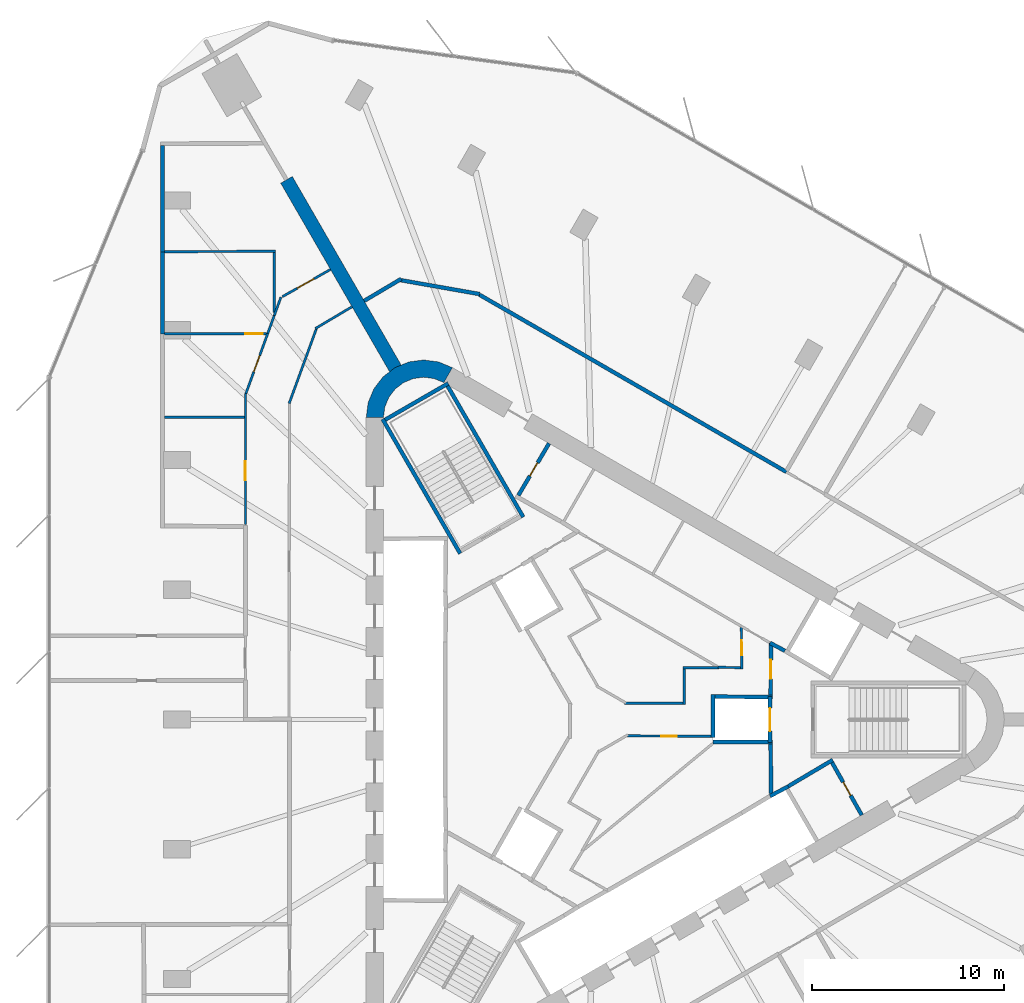
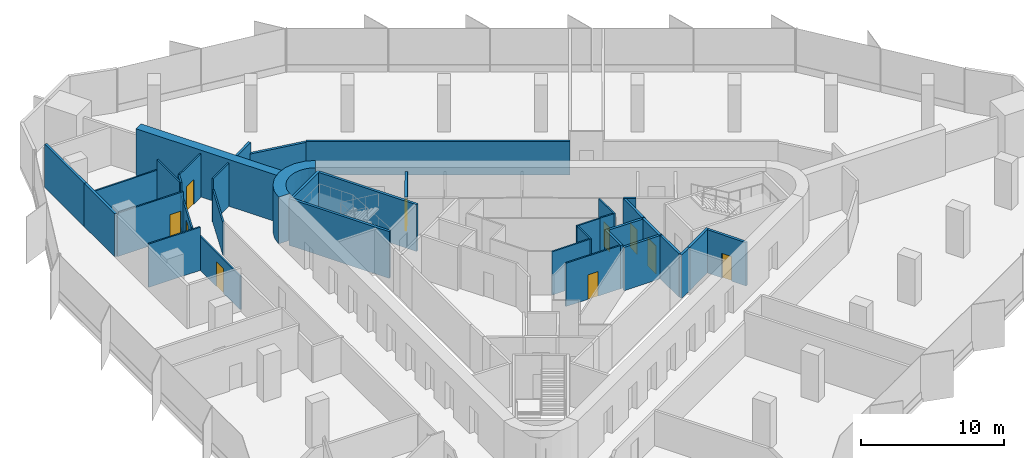
# One storey, part 11 of 14: 38 walls, 10 doors, 10 openings.
"""IFC4 building model written with IfcOpenShell, lengths in metres."""

from ifc_helpers import new_model, si_unit, direction, frame, frame_2d, origin, place, context, subcontext, project, spatial, polyline, rectangle, outline, extrude, material, layer, layer_set, type_object, element, fill, save


model = new_model("IFC4")

# Units and contexts
model_context = context("Model", 3, precision=1e-05, world=origin(), true_north=direction((0.0, 1.0)))
body_context = subcontext(model_context, "Body", "Model", "MODEL_VIEW")
ifc_project = project(units=[si_unit("LENGTHUNIT", "METRE"), si_unit("AREAUNIT", "SQUARE_METRE"), si_unit("VOLUMEUNIT", "CUBIC_METRE"), si_unit("PLANEANGLEUNIT", "RADIAN"), si_unit("MASSUNIT", "GRAM", prefix="KILO")], contexts=[model_context])

# Site, building, storey
site_placement = place(None, origin())
site = spatial("IfcSite", under=ifc_project, at=site_placement, CompositionType="ELEMENT")
building_placement = place(site_placement, origin())
building = spatial("IfcBuilding", under=site, at=building_placement, Name="Tanit Gate Tower", CompositionType="ELEMENT")
storey_placement = place(building_placement, frame((0.0, 0.0, 229.199951171875)))
storey = spatial("IfcBuildingStorey", under=building, at=storey_placement, Name="L51", CompositionType="ELEMENT", Elevation=229.199951171875)

# Walls
ifc_material_1 = material(Name="Concrete C50/60", Category="concrete")
ifc_layer_1 = layer(ifc_material_1, 0.699951171875)
ifc_layer_set_1 = layer_set([ifc_layer_1], Name="BUTTRESS FIN 700 C50/60")
wall_type_1 = type_object("IfcWallType", Name="BUTTRESS FIN 700 C50/60", PredefinedType="SHEAR", material=ifc_layer_set_1)
wall_1_placement = place(storey_placement, frame((-10.574951171875, 18.31640625, 0.0), z_axis=(0.0, 0.0, 1.0), x_axis=(-0.499996344484, 0.866027514288, 0.0)))
element("IfcWall", 1, at=wall_1_placement, inside=storey, type_object=wall_type_1, Name="BUTTRESS FIN", PredefinedType="SHEAR", context=body_context, shape_type="SweptSolid", body=[
    extrude(rectangle(XDim=11.3681640625, YDim=0.699951171875, at=frame_2d((5.68408203125, 0.0))), origin(), (0.0, 0.0, 1.0), 4.0),
])
ifc_material_2 = material(Name="Concrete C50/60", Category="concrete")
ifc_layer_2 = layer(ifc_material_2, 0.89990234375)
ifc_layer_set_2 = layer_set([ifc_layer_2], Name="CORE WALL 900 C50/60")
wall_type_2 = type_object("IfcWallType", Name="CORE WALL 900 C50/60", PredefinedType="SHEAR", material=ifc_layer_set_2)
wall_2_placement = place(storey_placement, origin())
element("IfcWall", 2, at=wall_2_placement, inside=storey, type_object=wall_type_2, Name="CORE WALL CORNER", PredefinedType="SHEAR", context=body_context, shape_type="SweptSolid", body=[
    extrude(outline(polyline([(-7.60009765625, 18.359619140625), (-8.323486328125, 18.659423828125), (-9.10009765625, 18.76171875), (-9.87646484375, 18.659423828125), (-10.60009765625, 18.359619140625), (-11.22119140625, 17.883056640625), (-11.697998046875, 17.26171875), (-11.997802734375, 16.5380859375), (-12.10009765625, 15.76171875), (-11.199951171875, 15.76171875), (-11.12841796875, 16.30517578125), (-10.918701171875, 16.811767578125), (-10.5849609375, 17.24658203125), (-10.14990234375, 17.580322265625), (-9.6435546875, 17.7900390625), (-9.10009765625, 17.86181640625), (-8.556396484375, 17.7900390625), (-8.050048828125, 17.580322265625), (-7.60009765625, 18.359619140625)])), origin(), (0.0, 0.0, 1.0), 4.0),
])
ifc_material_3 = material(Name="Fire-rated gypsum board partition")
ifc_layer_3 = layer(ifc_material_3, 0.199951171875)
ifc_layer_set_3 = layer_set([ifc_layer_3], Name="INT-WALL-COMPARTMENT")
wall_type_3 = type_object("IfcWallType", Name="INT-WALL-COMPARTMENT", PredefinedType="PARTITIONING", material=ifc_layer_set_3)
wall_3_placement = place(storey_placement, frame((8.97412109375, 3.998779296875, 0.0), z_axis=(0.0, 0.0, 1.0), x_axis=(0.880917147855, -0.473270513147, 0.0)))
element("IfcWall", 3, at=wall_3_placement, inside=storey, type_object=wall_type_3, Name="Wall Compartment W050", PredefinedType="PARTITIONING", context=body_context, shape_type="SweptSolid", body=[
    extrude(rectangle(XDim=0.8779296875, YDim=0.199951171875, at=frame_2d((0.43896484375, 0.0))), origin(), (0.0, 0.0, 1.0), 3.699951171875),
])

# Wall, opening, door
wall_4_placement = place(storey_placement, frame((-2.557861328125, 14.409423828125, 0.0), z_axis=(0.0, 0.0, 1.0), x_axis=(-0.508018930956, -0.861345903683, 0.0)))
wall_4 = element("IfcWall", 4, at=wall_4_placement, inside=storey, type_object=wall_type_3, Name="Wall Compartment W058", PredefinedType="PARTITIONING", context=body_context, shape_type="SweptSolid", body=[
    extrude(rectangle(XDim=3.150146484375, YDim=0.199951171875, at=frame_2d((1.5751953125, 0.0))), origin(), (0.0, 0.0, 1.0), 3.699951171875),
])
opening_1_placement = place(wall_4_placement, frame((1.175048828125, 0.0, 0.0)))
opening_1 = element("IfcOpeningElement", 5, at=opening_1_placement, cuts=wall_4, Name="Opening R08-S14-17", PredefinedType="OPENING", context=body_context, shape_type="SweptSolid", body=[
    extrude(rectangle(XDim=0.800048828125, YDim=2.10009765625, at=frame_2d((0.39990234375, 1.050048828125))), frame((0.0, 0.10986328125, 0.0), z_axis=(0.0, -1.0, 0.0), x_axis=(1.0, 0.0, 0.0)), (0.0, 0.0, 1.0), 0.219970703125),
])
ifc_material_4 = material(Name="Timber door leaf", Category="wood")
door_type_1 = type_object("IfcDoorType", Name="INT-DOOR-RISER-800", OperationType="NOTDEFINED", PredefinedType="USERDEFINED", material=ifc_material_4)
door_1_placement = place(opening_1_placement, origin())
door_1 = element("IfcDoor", 6, at=door_1_placement, inside=storey, type_object=door_type_1, Name="Door R08-S14-17", ObjectType="FIRE DOOR", OperationType="SINGLE_SWING_RIGHT", OverallHeight=2.10009765625, OverallWidth=0.800048828125, PredefinedType="USERDEFINED", context=body_context, shape_type="SweptSolid", body=[
    extrude(rectangle(XDim=0.800048828125, YDim=2.10009765625, at=frame_2d((0.39990234375, 1.050048828125))), frame((0.0, 0.02490234375, 0.0), z_axis=(0.0, -1.0, 0.0), x_axis=(1.0, 0.0, 0.0)), (0.0, 0.0, 1.0), 0.050048828125),
])
fill(opening_1, door_1)

# Wall
wall_5_placement = place(storey_placement, frame((12.244873046875, -2.10888671875, 0.0), z_axis=(0.0, 0.0, 1.0), x_axis=(-0.860414880418, -0.509594185166, 0.0)))
element("IfcWall", 7, at=wall_5_placement, inside=storey, type_object=wall_type_3, Name="Wall Compartment W059", PredefinedType="PARTITIONING", context=body_context, shape_type="SweptSolid", body=[
    extrude(rectangle(XDim=2.7001953125, YDim=0.199951171875, at=frame_2d((1.35009765625, 0.0))), origin(), (0.0, 0.0, 1.0), 3.699951171875),
])

# Wall, opening, door
wall_6_placement = place(storey_placement, frame((13.758056640625, -4.989501953125, 0.0), z_axis=(0.0, 0.0, 1.0), x_axis=(-0.491993409184, 0.87059892334, 0.0)))
wall_6 = element("IfcWall", 8, at=wall_6_placement, inside=storey, type_object=wall_type_3, Name="Wall Compartment W060", PredefinedType="PARTITIONING", context=body_context, shape_type="SweptSolid", body=[
    extrude(rectangle(XDim=3.150146484375, YDim=0.199951171875, at=frame_2d((1.5751953125, 0.0))), origin(), (0.0, 0.0, 1.0), 3.699951171875),
])
opening_2_placement = place(wall_6_placement, frame((1.175048828125, 0.0, 0.0)))
opening_2 = element("IfcOpeningElement", 9, at=opening_2_placement, cuts=wall_6, Name="Opening R08-S14-18", PredefinedType="OPENING", context=body_context, shape_type="SweptSolid", body=[
    extrude(rectangle(XDim=0.800048828125, YDim=2.10009765625, at=frame_2d((0.39990234375, 1.050048828125))), frame((0.0, 0.10986328125, 0.0), z_axis=(0.0, -1.0, 0.0), x_axis=(1.0, 0.0, 0.0)), (0.0, 0.0, 1.0), 0.219970703125),
])
door_2_placement = place(opening_2_placement, origin())
door_2 = element("IfcDoor", 10, at=door_2_placement, inside=storey, type_object=door_type_1, Name="Door R08-S14-18", ObjectType="FIRE DOOR", OperationType="SINGLE_SWING_LEFT", OverallHeight=2.10009765625, OverallWidth=0.800048828125, PredefinedType="USERDEFINED", context=body_context, shape_type="SweptSolid", body=[
    extrude(rectangle(XDim=0.800048828125, YDim=2.10009765625, at=frame_2d((0.39990234375, 1.050048828125))), frame((0.0, 0.02490234375, 0.0), z_axis=(0.0, -1.0, 0.0), x_axis=(1.0, 0.0, 0.0)), (0.0, 0.0, 1.0), 0.050048828125),
])
fill(opening_2, door_2)

# Wall
wall_7_placement = place(storey_placement, frame((9.02880859375, -3.8505859375, 0.0), z_axis=(0.0, 0.0, 1.0), x_axis=(-0.010784614026, 0.999941844359, 0.0)))
element("IfcWall", 11, at=wall_7_placement, inside=storey, type_object=wall_type_3, Name="Wall Compartment W061", PredefinedType="PARTITIONING", context=body_context, shape_type="SweptSolid", body=[
    extrude(rectangle(XDim=2.580810546875, YDim=0.199951171875, at=frame_2d((1.29052734375, 0.0))), origin(), (0.0, 0.0, 1.0), 3.699951171875),
])

# Wall, opening, door
wall_8_placement = place(storey_placement, frame((9.0009765625, 1.27001953125, 0.0), z_axis=(0.0, 0.0, 1.0), x_axis=(0.010723968736, 0.999942496594, 0.0)))
wall_8 = element("IfcWall", 12, at=wall_8_placement, inside=storey, type_object=wall_type_3, Name="Wall Compartment W062", PredefinedType="PARTITIONING", context=body_context, shape_type="SweptSolid", body=[
    extrude(rectangle(XDim=2.709228515625, YDim=0.199951171875, at=frame_2d((1.3544921875, 0.0))), origin(), (0.0, 0.0, 1.0), 3.699951171875),
])
opening_3_placement = place(wall_8_placement, frame((0.848388671875, 0.0, 0.0)))
opening_3 = element("IfcOpeningElement", 13, at=opening_3_placement, cuts=wall_8, Name="Opening F10-S14-02", PredefinedType="OPENING", context=body_context, shape_type="SweptSolid", body=[
    extrude(rectangle(XDim=1.0, YDim=2.10009765625, at=frame_2d((0.5, 1.050048828125))), frame((0.0, 0.10986328125, 0.0), z_axis=(0.0, -1.0, 0.0), x_axis=(1.0, 0.0, 0.0)), (0.0, 0.0, 1.0), 0.219970703125),
])
ifc_material_5 = material(Name="Fire-rated steel door leaf", Category="steel")
door_type_2 = type_object("IfcDoorType", Name="INT-DOOR-FIRE-1000", OperationType="NOTDEFINED", PredefinedType="USERDEFINED", material=ifc_material_5)
door_3_placement = place(opening_3_placement, origin())
door_3 = element("IfcDoor", 14, at=door_3_placement, inside=storey, type_object=door_type_2, Name="Door F10-S14-02", ObjectType="FIRE DOOR", OperationType="SINGLE_SWING_LEFT", OverallHeight=2.10009765625, OverallWidth=1.0, PredefinedType="USERDEFINED", context=body_context, shape_type="SweptSolid", body=[
    extrude(rectangle(XDim=1.0, YDim=2.10009765625, at=frame_2d((0.5, 1.050048828125))), frame((0.0, 0.02490234375, 0.0), z_axis=(0.0, -1.0, 0.0), x_axis=(1.0, 0.0, 0.0)), (0.0, 0.0, 1.0), 0.050048828125),
])
fill(opening_3, door_3)

# Walls
wall_9_placement = place(storey_placement, frame((-10.26513671875, 22.995849609375, 0.0), z_axis=(0.0, 0.0, 1.0), x_axis=(-0.859934823121, -0.510403859687, 0.0)))
element("IfcWall", 15, at=wall_9_placement, inside=storey, type_object=wall_type_3, Name="Wall Compartment W109", PredefinedType="PARTITIONING", context=body_context, shape_type="SweptSolid", body=[
    extrude(rectangle(XDim=2.25830078125, YDim=0.199951171875, at=frame_2d((1.129150390625, 0.0))), origin(), (0.0, 0.0, 1.0), 3.699951171875),
])
wall_10_placement = place(storey_placement, frame((-6.18115234375, 22.19873046875, 0.0), z_axis=(0.0, 0.0, 1.0), x_axis=(-0.984807544765, 0.17364935869, 0.0)))
element("IfcWall", 16, at=wall_10_placement, inside=storey, type_object=wall_type_3, Name="Wall Compartment W110", PredefinedType="PARTITIONING", context=body_context, shape_type="SweptSolid", body=[
    extrude(rectangle(XDim=4.199462890625, YDim=0.199951171875, at=frame_2d((2.099609375, 0.0))), origin(), (0.0, 0.0, 1.0), 2.780029296875),
])
wall_11_placement = place(storey_placement, frame((9.825439453125, 12.91796875, 0.0), z_axis=(0.0, 0.0, 1.0), x_axis=(-0.866022708987, 0.500004667497, 0.0)))
element("IfcWall", 17, at=wall_11_placement, inside=storey, type_object=wall_type_3, Name="Wall Compartment W111", PredefinedType="PARTITIONING", context=body_context, shape_type="SweptSolid", body=[
    extrude(rectangle(XDim=18.496337890625, YDim=0.199951171875, at=frame_2d((9.248046875, 0.0))), origin(), (0.0, 0.0, 1.0), 2.880126953125),
])
wall_12_placement = place(storey_placement, frame((-22.72998046875, 20.124267578125, 0.0), z_axis=(0.0, 0.0, 1.0), x_axis=(0.0, 1.0, 0.0)))
element("IfcWall", 18, at=wall_12_placement, inside=storey, type_object=wall_type_3, Name="Wall Compartment W142", PredefinedType="PARTITIONING", context=body_context, shape_type="SweptSolid", body=[
    extrude(rectangle(XDim=4.2822265625, YDim=0.199951171875, at=frame_2d((2.14111328125, 0.0))), origin(), (0.0, 0.0, 1.0), 3.699951171875),
])
wall_13_placement = place(storey_placement, frame((-22.72998046875, 24.406494140625, 0.0), z_axis=(0.0, 0.0, 1.0), x_axis=(0.0, 1.0, 0.0)))
element("IfcWall", 19, at=wall_13_placement, inside=storey, type_object=wall_type_3, Name="Wall Compartment W144", PredefinedType="PARTITIONING", context=body_context, shape_type="SweptSolid", body=[
    extrude(rectangle(XDim=5.533447265625, YDim=0.199951171875, at=frame_2d((2.7666015625, 0.0))), origin(), (0.0, 0.0, 1.0), 3.699951171875),
])

# Wall, opening, door
ifc_material_6 = material(Name="Gypsum board partition")
ifc_layer_4 = layer(ifc_material_6, 0.1201171875)
ifc_layer_set_4 = layer_set([ifc_layer_4], Name="INT-WALL-PARTITION")
wall_type_4 = type_object("IfcWallType", Name="INT-WALL-PARTITION", PredefinedType="PARTITIONING", material=ifc_layer_set_4)
wall_14_placement = place(storey_placement, frame((5.89990234375, -0.87890625, 0.0), z_axis=(0.0, 0.0, 1.0), x_axis=(-0.999978650839, 0.006534360439, 0.0)))
wall_14 = element("IfcWall", 20, at=wall_14_placement, inside=storey, type_object=wall_type_4, Name="Wall Partition W077", PredefinedType="PARTITIONING", context=body_context, shape_type="SweptSolid", body=[
    extrude(rectangle(XDim=4.40869140625, YDim=0.1201171875, at=frame_2d((2.204345703125, 0.0))), origin(), (0.0, 0.0, 1.0), 3.699951171875),
])
opening_4_placement = place(wall_14_placement, frame((1.804443359375, 0.0, 0.0)))
opening_4 = element("IfcOpeningElement", 21, at=opening_4_placement, cuts=wall_14, Name="Opening R08-S14-12", PredefinedType="OPENING", context=body_context, shape_type="SweptSolid", body=[
    extrude(rectangle(XDim=0.800048828125, YDim=2.10009765625, at=frame_2d((0.39990234375, 1.050048828125))), frame((0.0, 0.070068359375, 0.0), z_axis=(0.0, -1.0, 0.0), x_axis=(1.0, 0.0, 0.0)), (0.0, 0.0, 1.0), 0.14013671875),
])
door_4_placement = place(opening_4_placement, origin())
door_4 = element("IfcDoor", 22, at=door_4_placement, inside=storey, type_object=door_type_1, Name="Door R08-S14-12", ObjectType="FIRE DOOR", OperationType="SINGLE_SWING_RIGHT", OverallHeight=2.10009765625, OverallWidth=0.800048828125, PredefinedType="USERDEFINED", context=body_context, shape_type="SweptSolid", body=[
    extrude(rectangle(XDim=0.800048828125, YDim=2.10009765625, at=frame_2d((0.39990234375, 1.050048828125))), frame((0.0, 0.02490234375, 0.0), z_axis=(0.0, -1.0, 0.0), x_axis=(1.0, 0.0, 0.0)), (0.0, 0.0, 1.0), 0.050048828125),
])
fill(opening_4, door_4)

wall_15_placement = place(storey_placement, frame((7.500732421875, 2.639892578125, 0.0), z_axis=(0.0, 0.0, 1.0), x_axis=(-0.01178388431, 0.999930567625, 0.0)))
wall_15 = element("IfcWall", 23, at=wall_15_placement, inside=storey, type_object=wall_type_4, Name="Wall Partition W081", PredefinedType="PARTITIONING", context=body_context, shape_type="SweptSolid", body=[
    extrude(rectangle(XDim=2.15478515625, YDim=0.1201171875, at=frame_2d((1.077392578125, 0.0))), origin(), (0.0, 0.0, 1.0), 3.699951171875),
])
opening_5_placement = place(wall_15_placement, frame((0.707275390625, 0.0, 0.0)))
opening_5 = element("IfcOpeningElement", 24, at=opening_5_placement, cuts=wall_15, Name="Opening R08-S14-13", PredefinedType="OPENING", context=body_context, shape_type="SweptSolid", body=[
    extrude(rectangle(XDim=0.800048828125, YDim=2.10009765625, at=frame_2d((0.39990234375, 1.050048828125))), frame((0.0, 0.070068359375, 0.0), z_axis=(0.0, -1.0, 0.0), x_axis=(1.0, 0.0, 0.0)), (0.0, 0.0, 1.0), 0.14013671875),
])
door_5_placement = place(opening_5_placement, origin())
door_5 = element("IfcDoor", 25, at=door_5_placement, inside=storey, type_object=door_type_1, Name="Door R08-S14-13", ObjectType="FIRE DOOR", OperationType="SINGLE_SWING_LEFT", OverallHeight=2.10009765625, OverallWidth=0.800048828125, PredefinedType="USERDEFINED", context=body_context, shape_type="SweptSolid", body=[
    extrude(rectangle(XDim=0.800048828125, YDim=2.10009765625, at=frame_2d((0.39990234375, 1.050048828125))), frame((0.0, 0.02490234375, 0.0), z_axis=(0.0, -1.0, 0.0), x_axis=(1.0, 0.0, 0.0)), (0.0, 0.0, 1.0), 0.050048828125),
])
fill(opening_5, door_5)

# Walls
wall_16_placement = place(storey_placement, frame((6.249267578125, 2.7294921875, 0.0), z_axis=(0.0, 0.0, 1.0), x_axis=(0.999722106037, -0.023573516956, 0.0)))
element("IfcWall", 26, at=wall_16_placement, inside=storey, type_object=wall_type_4, Name="Wall Partition W082", PredefinedType="PARTITIONING", context=body_context, shape_type="SweptSolid", body=[
    extrude(rectangle(XDim=1.19091796875, YDim=0.1201171875, at=frame_2d((0.595458984375, 0.0))), origin(), (0.0, 0.0, 1.0), 3.699951171875),
])
wall_17_placement = place(storey_placement, frame((4.43994140625, 2.699951171875, 0.0), z_axis=(0.0, 0.0, 1.0), x_axis=(1.0, 0.0, 0.0)))
element("IfcWall", 27, at=wall_17_placement, inside=storey, type_object=wall_type_4, Name="Wall Partition W083", PredefinedType="PARTITIONING", context=body_context, shape_type="SweptSolid", body=[
    extrude(rectangle(XDim=1.8603515625, YDim=0.1201171875, at=frame_2d((0.93017578125, 0.0))), origin(), (0.0, 0.0, 1.0), 3.699951171875),
])
wall_18_placement = place(storey_placement, frame((4.5, 0.7900390625, 0.0), z_axis=(0.0, 0.0, 1.0), x_axis=(0.0, 1.0, 0.0)))
element("IfcWall", 28, at=wall_18_placement, inside=storey, type_object=wall_type_4, Name="Wall Partition W084", PredefinedType="PARTITIONING", context=body_context, shape_type="SweptSolid", body=[
    extrude(rectangle(XDim=1.849853515625, YDim=0.1201171875, at=frame_2d((0.9248046875, 0.0))), origin(), (0.0, 0.0, 1.0), 3.699951171875),
])
wall_19_placement = place(storey_placement, frame((1.368408203125, 0.85009765625, 0.0), z_axis=(0.0, 0.0, 1.0), x_axis=(1.0, 0.0, 0.0)))
element("IfcWall", 29, at=wall_19_placement, inside=storey, type_object=wall_type_4, Name="Wall Partition W085", PredefinedType="PARTITIONING", context=body_context, shape_type="SweptSolid", body=[
    extrude(rectangle(XDim=3.071533203125, YDim=0.1201171875, at=frame_2d((1.53564453125, 0.0))), origin(), (0.0, 0.0, 1.0), 3.699951171875),
])
wall_20_placement = place(storey_placement, frame((-12.839111328125, 21.5380859375, 0.0), z_axis=(0.0, 0.0, 1.0), x_axis=(-0.859953000024, -0.510373233771, 0.0)))
element("IfcWall", 30, at=wall_20_placement, inside=storey, type_object=wall_type_4, Name="Wall Partition W090", PredefinedType="PARTITIONING", context=body_context, shape_type="SweptSolid", body=[
    extrude(rectangle(XDim=2.21533203125, YDim=0.1201171875, at=frame_2d((1.107666015625, 0.0))), origin(), (0.0, 0.0, 1.0), 3.699951171875),
])
wall_21_placement = place(storey_placement, frame((-14.690673828125, 20.418701171875, 0.0), z_axis=(0.0, 0.0, 1.0), x_axis=(-0.342019678743, -0.93969278988, 0.0)))
element("IfcWall", 31, at=wall_21_placement, inside=storey, type_object=wall_type_4, Name="Wall Partition W091", PredefinedType="PARTITIONING", context=body_context, shape_type="SweptSolid", body=[
    extrude(rectangle(XDim=4.180908203125, YDim=0.1201171875, at=frame_2d((2.09033203125, 0.0))), origin(), (0.0, 0.0, 1.0), 2.780029296875),
])

# Wall, opening, door
wall_22_placement = place(storey_placement, frame((-18.39990234375, 17.011962890625, 0.0), z_axis=(0.0, 0.0, 1.0), x_axis=(0.0, -1.0, 0.0)))
wall_22 = element("IfcWall", 32, at=wall_22_placement, inside=storey, type_object=wall_type_4, Name="Wall Partition W098", PredefinedType="PARTITIONING", context=body_context, shape_type="SweptSolid", body=[
    extrude(rectangle(XDim=6.842041015625, YDim=0.1201171875, at=frame_2d((3.4208984375, 0.0))), origin(), (0.0, 0.0, 1.0), 2.880126953125),
])
opening_6_placement = place(wall_22_placement, frame((3.538818359375, 0.0, 0.0)))
opening_6 = element("IfcOpeningElement", 33, at=opening_6_placement, cuts=wall_22, Name="Opening D10-S14-23", PredefinedType="OPENING", context=body_context, shape_type="SweptSolid", body=[
    extrude(rectangle(XDim=1.0, YDim=2.10009765625, at=frame_2d((0.5, 1.050048828125))), frame((0.0, 0.070068359375, 0.0), z_axis=(0.0, -1.0, 0.0), x_axis=(1.0, 0.0, 0.0)), (0.0, 0.0, 1.0), 0.14013671875),
])
ifc_material_7 = material(Name="Timber door leaf", Category="wood")
door_type_3 = type_object("IfcDoorType", Name="INT-DOOR-SINGLE-1000", OperationType="NOTDEFINED", PredefinedType="NOTDEFINED", material=ifc_material_7)
door_6_placement = place(opening_6_placement, origin())
door_6 = element("IfcDoor", 34, at=door_6_placement, inside=storey, type_object=door_type_3, Name="Door D10-S14-23", OperationType="SINGLE_SWING_LEFT", OverallHeight=2.10009765625, OverallWidth=1.0, PredefinedType="NOTDEFINED", context=body_context, shape_type="SweptSolid", body=[
    extrude(rectangle(XDim=1.0, YDim=2.10009765625, at=frame_2d((0.5, 1.050048828125))), frame((0.0, 0.02490234375, 0.0), z_axis=(0.0, -1.0, 0.0), x_axis=(1.0, 0.0, 0.0)), (0.0, 0.0, 1.0), 0.050048828125),
])
fill(opening_6, door_6)

# Walls
wall_23_placement = place(storey_placement, frame((-16.548583984375, 22.038818359375, 0.0), z_axis=(0.0, 0.0, 1.0), x_axis=(-0.34206932631, -0.939674718186, 0.0)))
element("IfcWall", 35, at=wall_23_placement, inside=storey, type_object=wall_type_4, Name="Wall Partition W101", PredefinedType="PARTITIONING", context=body_context, shape_type="SweptSolid", body=[
    extrude(rectangle(XDim=1.021240234375, YDim=0.1201171875, at=frame_2d((0.5107421875, 0.0))), origin(), (0.0, 0.0, 1.0), 3.699951171875),
])
wall_24_placement = place(storey_placement, frame((-16.89794921875, 21.0791015625, 0.0), z_axis=(0.0, 0.0, 1.0), x_axis=(-0.341879433665, -0.939743822984, 0.0)))
element("IfcWall", 36, at=wall_24_placement, inside=storey, type_object=wall_type_4, Name="Wall Partition W100", PredefinedType="PARTITIONING", context=body_context, shape_type="SweptSolid", body=[
    extrude(rectangle(XDim=1.006103515625, YDim=0.1201171875, at=frame_2d((0.5029296875, 0.0))), origin(), (0.0, 0.0, 1.0), 2.780029296875),
])

# Wall, opening, door
wall_25_placement = place(storey_placement, frame((-17.241943359375, 20.133544921875, 0.0), z_axis=(0.0, 0.0, 1.0), x_axis=(-0.34200828308, -0.939696937478, 0.0)))
wall_25 = element("IfcWall", 37, at=wall_25_placement, inside=storey, type_object=wall_type_4, Name="Wall Partition W099", PredefinedType="PARTITIONING", context=body_context, shape_type="SweptSolid", body=[
    extrude(rectangle(XDim=3.32568359375, YDim=0.1201171875, at=frame_2d((1.662841796875, 0.0))), origin(), (0.0, 0.0, 1.0), 2.880126953125),
])
opening_7_placement = place(wall_25_placement, frame((1.212890625, 0.0, 0.0)))
opening_7 = element("IfcOpeningElement", 38, at=opening_7_placement, cuts=wall_25, Name="Opening D09-S14-24", PredefinedType="OPENING", context=body_context, shape_type="SweptSolid", body=[
    extrude(rectangle(XDim=0.89990234375, YDim=2.10009765625, at=frame_2d((0.449951171875, 1.050048828125))), frame((0.0, 0.070068359375, 0.0), z_axis=(0.0, -1.0, 0.0), x_axis=(1.0, 0.0, 0.0)), (0.0, 0.0, 1.0), 0.14013671875),
])
ifc_material_8 = material(Name="Timber door leaf", Category="wood")
door_type_4 = type_object("IfcDoorType", Name="INT-DOOR-SINGLE-900", OperationType="NOTDEFINED", PredefinedType="NOTDEFINED", material=ifc_material_8)
door_7_placement = place(opening_7_placement, origin())
door_7 = element("IfcDoor", 39, at=door_7_placement, inside=storey, type_object=door_type_4, Name="Door D09-S14-24", OperationType="SINGLE_SWING_RIGHT", OverallHeight=2.10009765625, OverallWidth=0.89990234375, PredefinedType="NOTDEFINED", context=body_context, shape_type="SweptSolid", body=[
    extrude(rectangle(XDim=0.89990234375, YDim=2.10009765625, at=frame_2d((0.449951171875, 1.050048828125))), frame((0.0, 0.02490234375, 0.0), z_axis=(0.0, -1.0, 0.0), x_axis=(1.0, 0.0, 0.0)), (0.0, 0.0, 1.0), 0.050048828125),
])
fill(opening_7, door_7)

wall_26_placement = place(storey_placement, frame((-13.962890625, 23.484375, 0.0), z_axis=(0.0, 0.0, 1.0), x_axis=(-0.870462007122, -0.49223560838, 0.0)))
wall_26 = element("IfcWall", 40, at=wall_26_placement, inside=storey, type_object=wall_type_4, Name="Wall Partition W102", PredefinedType="PARTITIONING", context=body_context, shape_type="SweptSolid", body=[
    extrude(rectangle(XDim=2.88671875, YDim=0.1201171875, at=frame_2d((1.443359375, 0.0))), origin(), (0.0, 0.0, 1.0), 3.699951171875),
])
opening_8_placement = place(wall_26_placement, frame((0.993408203125, 0.0, 0.0)))
opening_8 = element("IfcOpeningElement", 41, at=opening_8_placement, cuts=wall_26, Name="Opening D10-S14-26", PredefinedType="OPENING", context=body_context, shape_type="SweptSolid", body=[
    extrude(rectangle(XDim=1.0, YDim=2.10009765625, at=frame_2d((0.5, 1.050048828125))), frame((0.0, 0.070068359375, 0.0), z_axis=(0.0, -1.0, 0.0), x_axis=(1.0, 0.0, 0.0)), (0.0, 0.0, 1.0), 0.14013671875),
])
door_8_placement = place(opening_8_placement, origin())
door_8 = element("IfcDoor", 42, at=door_8_placement, inside=storey, type_object=door_type_3, Name="Door D10-S14-26", OperationType="SINGLE_SWING_LEFT", OverallHeight=2.10009765625, OverallWidth=1.0, PredefinedType="NOTDEFINED", context=body_context, shape_type="SweptSolid", body=[
    extrude(rectangle(XDim=1.0, YDim=2.10009765625, at=frame_2d((0.5, 1.050048828125))), frame((0.0, 0.02490234375, 0.0), z_axis=(0.0, -1.0, 0.0), x_axis=(1.0, 0.0, 0.0)), (0.0, 0.0, 1.0), 0.050048828125),
])
fill(opening_8, door_8)

# Wall
wall_27_placement = place(storey_placement, frame((-18.4599609375, 15.7763671875, 0.0), z_axis=(0.0, 0.0, 1.0), x_axis=(-1.0, 0.0, 0.0)))
element("IfcWall", 43, at=wall_27_placement, inside=storey, type_object=wall_type_4, Name="Wall Partition W153", PredefinedType="PARTITIONING", context=body_context, shape_type="SweptSolid", body=[
    extrude(rectangle(XDim=4.169921875, YDim=0.1201171875, at=frame_2d((2.0849609375, 0.0))), origin(), (0.0, 0.0, 1.0), 3.699951171875),
])

# Wall, opening, door
wall_28_placement = place(storey_placement, frame((-22.6298828125, 20.124267578125, 0.0), z_axis=(0.0, 0.0, 1.0), x_axis=(1.0, 0.0, 0.0)))
wall_28 = element("IfcWall", 44, at=wall_28_placement, inside=storey, type_object=wall_type_4, Name="Wall Partition W154", PredefinedType="PARTITIONING", context=body_context, shape_type="SweptSolid", body=[
    extrude(rectangle(XDim=5.320556640625, YDim=0.1201171875, at=frame_2d((2.66015625, 0.0))), origin(), (0.0, 0.0, 1.0), 3.699951171875),
])
opening_9_placement = place(wall_28_placement, frame((4.220703125, 0.0, 0.0)))
opening_9 = element("IfcOpeningElement", 45, at=opening_9_placement, cuts=wall_28, Name="Opening D09-S14-25", PredefinedType="OPENING", context=body_context, shape_type="SweptSolid", body=[
    extrude(rectangle(XDim=0.89990234375, YDim=2.10009765625, at=frame_2d((0.449951171875, 1.050048828125))), frame((0.0, 0.070068359375, 0.0), z_axis=(0.0, -1.0, 0.0), x_axis=(1.0, 0.0, 0.0)), (0.0, 0.0, 1.0), 0.14013671875),
])
door_9_placement = place(opening_9_placement, origin())
door_9 = element("IfcDoor", 46, at=door_9_placement, inside=storey, type_object=door_type_4, Name="Door D09-S14-25", OperationType="SINGLE_SWING_RIGHT", OverallHeight=2.10009765625, OverallWidth=0.89990234375, PredefinedType="NOTDEFINED", context=body_context, shape_type="SweptSolid", body=[
    extrude(rectangle(XDim=0.89990234375, YDim=2.10009765625, at=frame_2d((0.449951171875, 1.050048828125))), frame((0.0, 0.02490234375, 0.0), z_axis=(0.0, -1.0, 0.0), x_axis=(1.0, 0.0, 0.0)), (0.0, 0.0, 1.0), 0.050048828125),
])
fill(opening_9, door_9)

# Walls
wall_29_placement = place(storey_placement, frame((-22.6298828125, 24.406982421875, 0.0), z_axis=(0.0, 0.0, 1.0), x_axis=(0.999986767717, 0.005144355288, 0.0)))
element("IfcWall", 47, at=wall_29_placement, inside=storey, type_object=wall_type_4, Name="Wall Partition W155", PredefinedType="PARTITIONING", context=body_context, shape_type="SweptSolid", body=[
    extrude(rectangle(XDim=5.789794921875, YDim=0.1201171875, at=frame_2d((2.89501953125, 0.0))), origin(), (0.0, 0.0, 1.0), 2.780029296875),
])
wall_30_placement = place(storey_placement, frame((-16.90478515625, 21.23046875, 0.0), z_axis=(0.0, 0.0, 1.0), x_axis=(0.001474466813, 0.999998912973, 0.0)))
element("IfcWall", 48, at=wall_30_placement, inside=storey, type_object=wall_type_4, Name="Wall Partition W156", PredefinedType="PARTITIONING", context=body_context, shape_type="SweptSolid", body=[
    extrude(rectangle(XDim=3.14599609375, YDim=0.1201171875, at=frame_2d((1.572998046875, 0.0))), origin(), (0.0, 0.0, 1.0), 3.699951171875),
])
ifc_material_9 = material(Name="Gypsum shaft wall system")
ifc_layer_5 = layer(ifc_material_9, 0.199951171875)
ifc_layer_set_5 = layer_set([ifc_layer_5], Name="INT-WALL-SHAFT")
wall_type_5 = type_object("IfcWallType", Name="INT-WALL-SHAFT", PredefinedType="PLUMBINGWALL", material=ifc_layer_set_5)
wall_31_placement = place(storey_placement, frame((8.97412109375, -3.998779296875, 0.0), z_axis=(0.0, 0.0, 1.0), x_axis=(0.880907015104, 0.473289373154, 0.0)))
element("IfcWall", 49, at=wall_31_placement, inside=storey, type_object=wall_type_5, Name="Wall Shaft W017", PredefinedType="PLUMBINGWALL", context=body_context, shape_type="SweptSolid", body=[
    extrude(rectangle(XDim=1.078125, YDim=0.199951171875, at=frame_2d((0.5390625, 0.0))), origin(), (0.0, 0.0, 1.0), 3.699951171875),
])

# Wall, opening, door
wall_32_placement = place(storey_placement, frame((8.969970703125, 1.199951171875, 0.0), z_axis=(0.0, 0.0, 1.0), x_axis=(0.0, -1.0, 0.0)))
wall_32 = element("IfcWall", 50, at=wall_32_placement, inside=storey, type_object=wall_type_5, Name="Wall Shaft W029", PredefinedType="PLUMBINGWALL", context=body_context, shape_type="SweptSolid", body=[
    extrude(rectangle(XDim=2.39990234375, YDim=0.199951171875, at=frame_2d((1.199951171875, 0.0))), origin(), (0.0, 0.0, 1.0), 3.699951171875),
])
opening_10_placement = place(wall_32_placement, frame((0.60009765625, 0.0, 0.0)))
opening_10 = element("IfcOpeningElement", 51, at=opening_10_placement, cuts=wall_32, Name="Opening LDFL1-L51", PredefinedType="OPENING", context=body_context, shape_type="SweptSolid", body=[
    extrude(rectangle(XDim=1.199951171875, YDim=2.39990234375, at=frame_2d((0.60009765625, 1.199951171875))), frame((0.0, 0.10986328125, 0.0), z_axis=(0.0, -1.0, 0.0), x_axis=(1.0, 0.0, 0.0)), (0.0, 0.0, 1.0), 0.219970703125),
])
ifc_material_10 = material(Name="Stainless steel sliding door leaf", Category="steel")
door_type_5 = type_object("IfcDoorType", Name="INT-DOOR-LANDING-1200", OperationType="NOTDEFINED", PredefinedType="USERDEFINED", material=ifc_material_10)
door_10_placement = place(opening_10_placement, origin())
door_10 = element("IfcDoor", 52, at=door_10_placement, inside=storey, type_object=door_type_5, Name="Door LDFL1-L51", ObjectType="LANDING DOOR", OperationType="SLIDING_TO_LEFT", OverallHeight=2.39990234375, OverallWidth=1.199951171875, PredefinedType="USERDEFINED", context=body_context, shape_type="SweptSolid", body=[
    extrude(rectangle(XDim=1.199951171875, YDim=2.39990234375, at=frame_2d((0.60009765625, 1.199951171875))), frame((0.0, 0.02490234375, 0.0), z_axis=(0.0, -1.0, 0.0), x_axis=(1.0, 0.0, 0.0)), (0.0, 0.0, 1.0), 0.050048828125),
])
fill(opening_10, door_10)

# Walls
wall_33_placement = place(storey_placement, frame((9.10009765625, -1.169921875, 0.0), z_axis=(0.0, 0.0, 1.0), x_axis=(-0.999998759609, -0.001575049235, 0.0)))
element("IfcWall", 53, at=wall_33_placement, inside=storey, type_object=wall_type_5, Name="Wall Shaft W030", PredefinedType="PLUMBINGWALL", context=body_context, shape_type="SweptSolid", body=[
    extrude(rectangle(XDim=3.10009765625, YDim=0.199951171875, at=frame_2d((1.550048828125, 0.0))), origin(), (0.0, 0.0, 1.0), 3.699951171875),
])
wall_34_placement = place(storey_placement, frame((6.0, -0.939453125, 0.0), z_axis=(0.0, 0.0, 1.0), x_axis=(0.0, 1.0, 0.0)))
element("IfcWall", 54, at=wall_34_placement, inside=storey, type_object=wall_type_5, Name="Wall Shaft W031", PredefinedType="PLUMBINGWALL", context=body_context, shape_type="SweptSolid", body=[
    extrude(rectangle(XDim=2.239501953125, YDim=0.199951171875, at=frame_2d((1.11962890625, 0.0))), origin(), (0.0, 0.0, 1.0), 3.699951171875),
])
wall_35_placement = place(storey_placement, frame((9.10009765625, 1.1689453125, 0.0), z_axis=(0.0, 0.0, 1.0), x_axis=(-0.99994990606, 0.010009264196, 0.0)))
element("IfcWall", 55, at=wall_35_placement, inside=storey, type_object=wall_type_5, Name="Wall Shaft W032", PredefinedType="PLUMBINGWALL", context=body_context, shape_type="SweptSolid", body=[
    extrude(rectangle(XDim=3.000244140625, YDim=0.199951171875, at=frame_2d((1.5, 0.0))), origin(), (0.0, 0.0, 1.0), 3.699951171875),
])
ifc_material_11 = material(Name="Concrete C40/50", Category="concrete")
ifc_layer_6 = layer(ifc_material_11, 0.199951171875)
ifc_layer_set_6 = layer_set([ifc_layer_6], Name="INT-WALL-STAIR")
wall_type_6 = type_object("IfcWallType", Name="INT-WALL-STAIR", PredefinedType="SHEAR", material=ifc_layer_set_6)
wall_36_placement = place(storey_placement, frame((-11.245361328125, 15.677734375, -0.300048828125), z_axis=(0.0, 0.0, 1.0), x_axis=(0.499977274689, -0.866038523851, 0.0)))
element("IfcWall", 56, at=wall_36_placement, inside=storey, type_object=wall_type_6, Name="Wall Stair W033", PredefinedType="SHEAR", context=body_context, shape_type="SweptSolid", body=[
    extrude(rectangle(XDim=8.10009765625, YDim=0.199951171875, at=frame_2d((4.050048828125, 0.0))), origin(), (0.0, 0.0, 1.0), 4.0),
])
wall_37_placement = place(storey_placement, frame((-7.81787109375, 17.541015625, -0.300048828125), z_axis=(0.0, 0.0, 1.0), x_axis=(-0.866044365799, -0.499967155389, 0.0)))
element("IfcWall", 57, at=wall_37_placement, inside=storey, type_object=wall_type_6, Name="Wall Stair W034", PredefinedType="SHEAR", context=body_context, shape_type="SweptSolid", body=[
    extrude(rectangle(XDim=3.800048828125, YDim=0.199951171875, at=frame_2d((1.89990234375, 0.0))), origin(), (0.0, 0.0, 1.0), 4.0),
])
wall_38_placement = place(storey_placement, frame((-7.8544921875, 17.404541015625, -0.300048828125), z_axis=(0.0, 0.0, 1.0), x_axis=(0.499997992926, -0.866026562566, 0.0)))
element("IfcWall", 58, at=wall_38_placement, inside=storey, type_object=wall_type_6, Name="Wall Stair W035", PredefinedType="SHEAR", context=body_context, shape_type="SweptSolid", body=[
    extrude(rectangle(XDim=7.89990234375, YDim=0.199951171875, at=frame_2d((3.949951171875, 0.0))), origin(), (0.0, 0.0, 1.0), 4.0),
])

save(model, "model.ifc")
